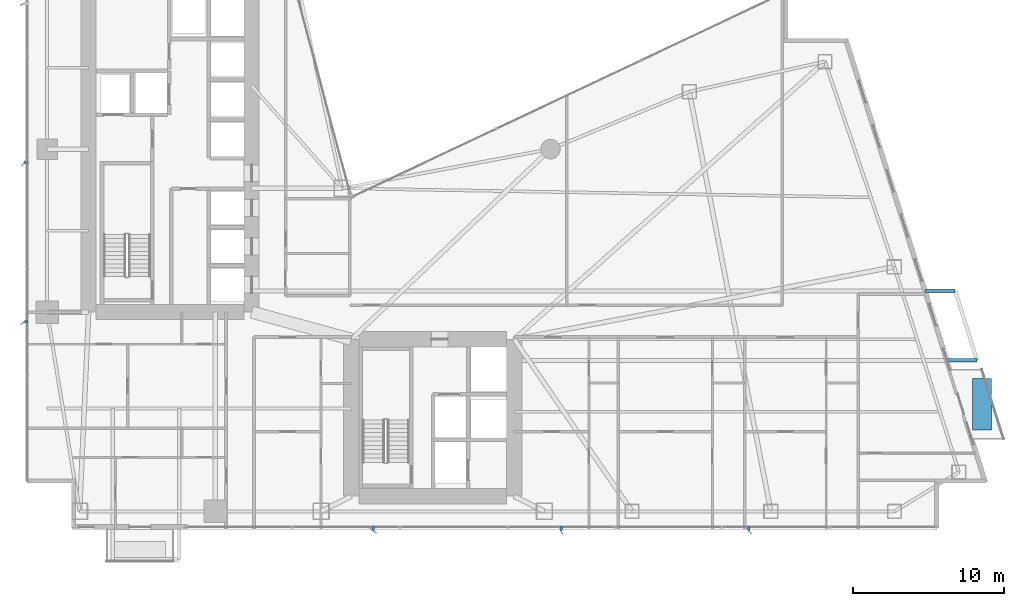
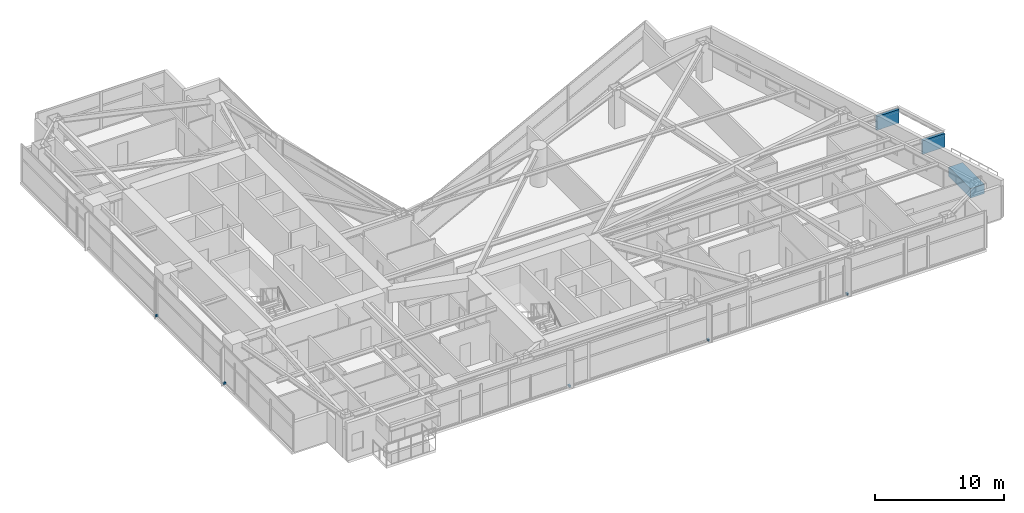
# One storey, part 26 of 30: 8 discrete accessories.
"""IFC4 building model written with IfcOpenShell, lengths in metres."""

from ifc_helpers import new_model, si_unit, direction, frame, origin, origin_2d, place, context, subcontext, project, spatial, rectangle, extrude, material, type_object, element, save


model = new_model("IFC4")

# Units and contexts
model_context = context("Model", 3, precision=1e-05, world=origin(), true_north=direction((0.0, 1.0)))
body_context = subcontext(model_context, "Body", "Model", "MODEL_VIEW")
ifc_project = project(units=[si_unit("LENGTHUNIT", "METRE"), si_unit("AREAUNIT", "SQUARE_METRE"), si_unit("VOLUMEUNIT", "CUBIC_METRE"), si_unit("PLANEANGLEUNIT", "RADIAN"), si_unit("MASSUNIT", "GRAM", prefix="KILO")], contexts=[model_context])

# Site, building, storey
site_placement = place(None, origin())
site = spatial("IfcSite", under=ifc_project, at=site_placement, CompositionType="ELEMENT")
building_placement = place(site_placement, origin())
building = spatial("IfcBuilding", under=site, at=building_placement, Name="Calvorn Quay Hotel", CompositionType="ELEMENT")
storey_placement = place(building_placement, frame((0.0, 0.0, 30.800048828125)))
storey = spatial("IfcBuildingStorey", under=building, at=storey_placement, Name="L06", CompositionType="ELEMENT", Elevation=30.800048828125)

# Discrete accessories
ifc_material_1 = material(Name="Steel Q355B", Category="steel")
discrete_accessory_type_1 = type_object("IfcDiscreteAccessoryType", Name="ACC-BALC-STRUT", PredefinedType="BRACKET", material=ifc_material_1)
for number, where, z_axis, x_axis, name in (
    (1, (62.073974609375, 13.60009765625, 2.01513671875), (0.0, 0.0, 1.0), (1.0, 0.0, 0.0), "Exterior Balcony Steel Bracket L07-BALC-E-A"),
    (2, (60.625, 18.199951171875, 2.01513671875), (0.0, 0.0, 1.0), (1.0, 0.0, 0.0), "Exterior Balcony Steel Bracket L07-BALC-E-B"),
):
    element("IfcDiscreteAccessory", number, at=place(storey_placement, frame(where, z_axis=z_axis, x_axis=x_axis)), inside=storey, type_object=discrete_accessory_type_1, Name=name, PredefinedType="BRACKET", context=body_context, shape_type="SweptSolid", body=[
        extrude(rectangle(XDim=1.989990234375, YDim=0.219970703125, at=origin_2d()), origin(), (0.0, 0.0, 1.0), 1.300048828125),
    ])
ifc_material_2 = material(Name="Steel Q355B", Category="steel")
discrete_accessory_type_2 = type_object("IfcDiscreteAccessoryType", Name="ACC-FIN-BRACKET", PredefinedType="BRACKET", material=ifc_material_2)
for number, where, z_axis, x_axis, name in (
    (3, (0.06005859375, 16.14990234375, 0.02978515625), (0.0, 0.0, 1.0), (1.0, 0.0, 0.0), "Fin Anchor Bracket L06-W01"),
    (4, (0.06005859375, 26.699951171875, 0.02978515625), (0.0, 0.0, 1.0), (1.0, 0.0, 0.0), "Fin Anchor Bracket L06-W02"),
    (5, (23.050048828125, 2.4599609375, 0.02978515625), (0.0, 0.0, 1.0), (0.0, 1.0, 0.0), "Fin Anchor Bracket L06-S01"),
    (6, (35.5, 2.4599609375, 0.02978515625), (0.0, 0.0, 1.0), (0.0, 1.0, 0.0), "Fin Anchor Bracket L06-S02"),
    (7, (47.949951171875, 2.4599609375, 0.02978515625), (0.0, 0.0, 1.0), (0.0, 1.0, 0.0), "Fin Anchor Bracket L06-S03"),
):
    element("IfcDiscreteAccessory", number, at=place(storey_placement, frame(where, z_axis=z_axis, x_axis=x_axis)), inside=storey, type_object=discrete_accessory_type_2, Name=name, PredefinedType="BRACKET", context=body_context, shape_type="SweptSolid", body=[
        extrude(rectangle(XDim=0.239990234375, YDim=0.159912109375, at=origin_2d()), origin(), (0.0, 0.0, 1.0), 0.179931640625),
    ])
ifc_material_3 = material(Name="Precast concrete C40", Category="concrete")
discrete_accessory_type_3 = type_object("IfcDiscreteAccessoryType", Name="ACC-TREE-PLANTER", PredefinedType="USERDEFINED", material=ifc_material_3)
discrete_accessory_placement = place(storey_placement, frame((63.403076171875, 10.699951171875, 0.0), z_axis=(0.0, 0.0, 1.0), x_axis=(1.0, 0.0, 0.0)))
element("IfcDiscreteAccessory", 8, at=discrete_accessory_placement, inside=storey, type_object=discrete_accessory_type_3, Name="Subtropical Tree Structural Planter L06-BALC-E", ObjectType="PLANTER", PredefinedType="USERDEFINED", context=body_context, shape_type="SweptSolid", body=[
    extrude(rectangle(XDim=1.25, YDim=3.39990234375, at=origin_2d()), origin(), (0.0, 0.0, 1.0), 0.89990234375),
])

save(model, "model.ifc")
